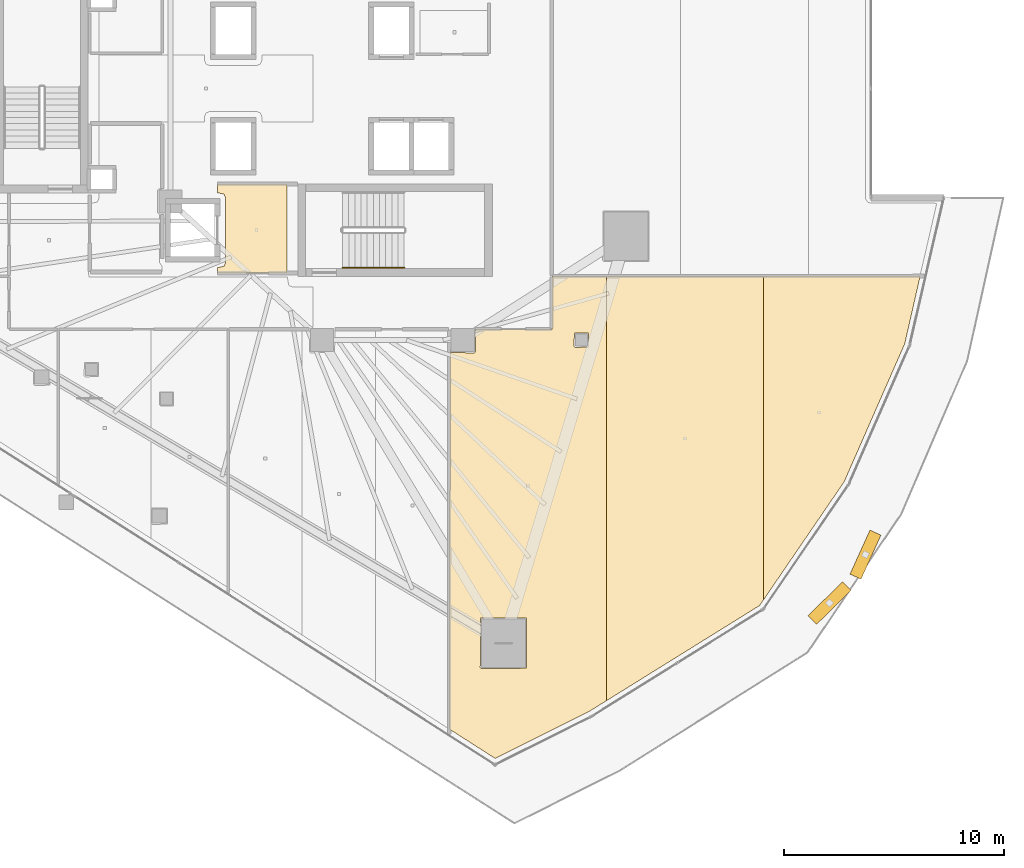
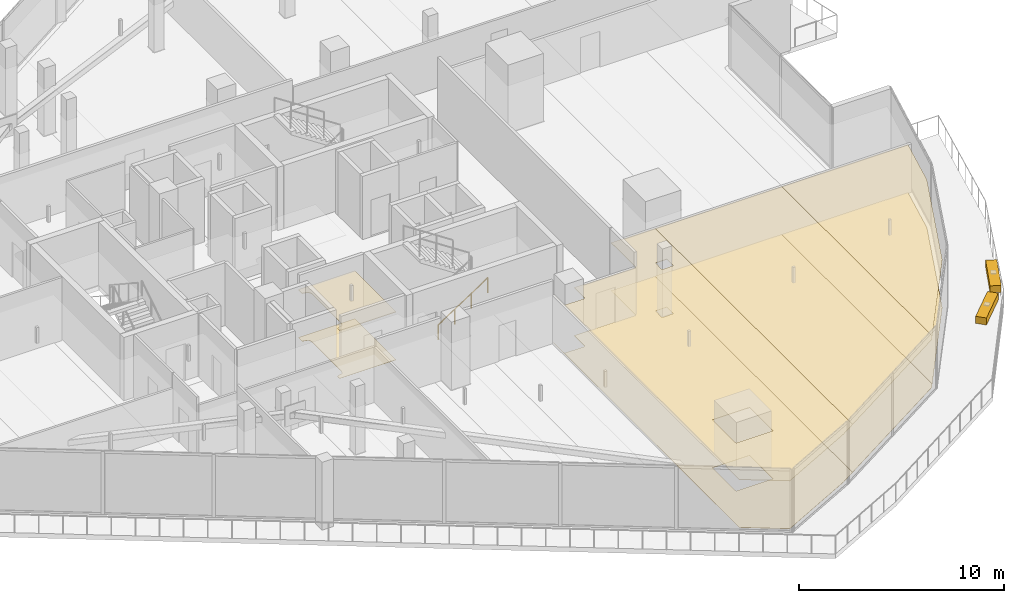
# One storey, part 39 of 45: 8 coverings, 2 shading devices, 1 railing.
"""IFC4 building model written with IfcOpenShell, lengths in metres."""

from ifc_helpers import new_model, si_unit, direction, frame, origin, origin_2d, place, context, subcontext, project, spatial, polyline, rectangle, circle, outline, extrude, material, layer, layer_set, type_object, element, save


model = new_model("IFC4")

# Units and contexts
model_context = context("Model", 3, precision=1e-05, world=origin(), true_north=direction((0.0, 1.0)))
body_context = subcontext(model_context, "Body", "Model", "MODEL_VIEW")
ifc_project = project(units=[si_unit("LENGTHUNIT", "METRE"), si_unit("AREAUNIT", "SQUARE_METRE"), si_unit("VOLUMEUNIT", "CUBIC_METRE"), si_unit("PLANEANGLEUNIT", "RADIAN"), si_unit("MASSUNIT", "GRAM", prefix="KILO")], contexts=[model_context])

# Site, building, storey
site_placement = place(None, origin())
site = spatial("IfcSite", under=ifc_project, at=site_placement, CompositionType="ELEMENT")
building_placement = place(site_placement, origin())
building = spatial("IfcBuilding", under=site, at=building_placement, Name="Qorvath Tower", CompositionType="ELEMENT")
storey_placement = place(building_placement, frame((0.0, 0.0, 126.0)))
storey = spatial("IfcBuildingStorey", under=building, at=storey_placement, Name="L28", CompositionType="ELEMENT", Elevation=126.0)

# Coverings
ifc_material_1 = material(Name="Acoustic mineral fibre ceiling tile", Category="gypsum")
ifc_layer_1 = layer(ifc_material_1, 0.030029296875)
ifc_layer_set_1 = layer_set([ifc_layer_1], Name="COV-CEIL")
covering_type_1 = type_object("IfcCoveringType", Name="COV-CEIL", PredefinedType="CEILING", material=ifc_layer_set_1)
covering_1_placement = place(storey_placement, frame((0.0, 0.0, 2.85009765625)))
element("IfcCovering", 1, at=covering_1_placement, inside=storey, type_object=covering_type_1, Name="L28 Suspended Acoustic Ceiling 002", PredefinedType="CEILING", context=body_context, shape_type="SweptSolid", body=[
    extrude(outline(polyline([(-25.18994140625, -8.39501953125), (-25.18994140625, -4.35498046875), (-28.375, -4.35498046875), (-28.375, -4.739990234375), (-28.063232421875, -4.813232421875), (-27.989990234375, -4.989990234375), (-27.989990234375, -7.909912109375), (-28.063232421875, -8.086669921875), (-28.375, -8.159912109375), (-28.375, -8.39501953125), (-25.18994140625, -8.39501953125)])), origin(), (0.0, 0.0, 1.0), 0.030029296875),
])
covering_2_placement = place(storey_placement, frame((0.0, 0.0, 2.85009765625)))
element("IfcCovering", 2, at=covering_2_placement, inside=storey, type_object=covering_type_1, Name="L28 Suspended Acoustic Ceiling 022", PredefinedType="CEILING", context=body_context, shape_type="SweptSolid", body=[
    extrude(outline(polyline([(-17.784912109375, -10.962890625), (-17.80322265625, -29.166015625), (-15.721435546875, -30.49658203125), (-11.463134765625, -28.367431640625), (-10.661865234375, -27.86962890625), (-10.661865234375, -8.552734375), (-13.136962890625, -8.554931640625), (-13.138427734375, -10.96142578125), (-16.614990234375, -10.962890625), (-16.614990234375, -11.97509765625), (-16.675048828125, -12.034912109375), (-17.767333984375, -12.017333984375), (-17.784912109375, -10.962890625)]), holes=[polyline([(-12.135009765625, -11.72509765625), (-12.117431640625, -11.132568359375), (-11.482666015625, -11.132568359375), (-11.482666015625, -11.767333984375), (-12.074951171875, -11.784912109375), (-12.135009765625, -11.72509765625)]), polyline([(-16.404296875, -26.34619140625), (-16.38671875, -24.103759765625), (-14.3017578125, -24.103759765625), (-14.3017578125, -26.388427734375), (-16.34423828125, -26.406005859375), (-16.404296875, -26.34619140625)])]), origin(), (0.0, 0.0, 1.0), 0.030029296875),
])
covering_3_placement = place(storey_placement, frame((0.0, 0.0, 2.85009765625)))
element("IfcCovering", 3, at=covering_3_placement, inside=storey, type_object=covering_type_1, Name="L28 Suspended Acoustic Ceiling 023", PredefinedType="CEILING", context=body_context, shape_type="SweptSolid", body=[
    extrude(outline(polyline([(-10.661865234375, -8.552734375), (-10.661865234375, -27.86962890625), (-3.6865234375, -23.53564453125), (-3.5205078125, -23.29296875), (-3.5205078125, -8.546142578125), (-10.661865234375, -8.552734375)])), origin(), (0.0, 0.0, 1.0), 0.030029296875),
])
covering_4_placement = place(storey_placement, frame((0.0, 0.0, 2.85009765625)))
element("IfcCovering", 4, at=covering_4_placement, inside=storey, type_object=covering_type_1, Name="L28 Suspended Acoustic Ceiling 024", PredefinedType="CEILING", context=body_context, shape_type="SweptSolid", body=[
    extrude(outline(polyline([(-3.5205078125, -8.546142578125), (-3.5205078125, -23.29296875), (0.166748046875, -17.896240234375), (2.920166015625, -11.61767578125), (3.62060546875, -8.539794921875), (-3.5205078125, -8.546142578125)])), origin(), (0.0, 0.0, 1.0), 0.030029296875),
])
ifc_material_2 = material(Name="Low-VOC modular carpet tile", Category="textile")
ifc_layer_2 = layer(ifc_material_2, 0.014892578125)
ifc_layer_set_2 = layer_set([ifc_layer_2], Name="COV-FLOOR-CPT")
covering_type_2 = type_object("IfcCoveringType", Name="COV-FLOOR-CPT", PredefinedType="FLOORING", material=ifc_layer_set_2)
covering_5_placement = place(storey_placement, origin())
element("IfcCovering", 5, at=covering_5_placement, inside=storey, type_object=covering_type_2, Name="L28 Floor Finish 022", PredefinedType="FLOORING", context=body_context, shape_type="SweptSolid", body=[
    extrude(outline(polyline([(-17.784912109375, -10.962890625), (-17.80322265625, -29.166015625), (-15.721435546875, -30.49658203125), (-11.463134765625, -28.367431640625), (-10.661865234375, -27.86962890625), (-10.661865234375, -8.552734375), (-13.136962890625, -8.554931640625), (-13.138427734375, -10.96142578125), (-16.614990234375, -10.962890625), (-16.614990234375, -11.97509765625), (-16.675048828125, -12.034912109375), (-17.767333984375, -12.017333984375), (-17.784912109375, -10.962890625)]), holes=[polyline([(-12.135009765625, -11.72509765625), (-12.117431640625, -11.132568359375), (-11.482666015625, -11.132568359375), (-11.482666015625, -11.767333984375), (-12.074951171875, -11.784912109375), (-12.135009765625, -11.72509765625)]), polyline([(-16.404296875, -26.34619140625), (-16.38671875, -24.103759765625), (-14.3017578125, -24.103759765625), (-14.3017578125, -26.388427734375), (-16.34423828125, -26.406005859375), (-16.404296875, -26.34619140625)])]), origin(), (0.0, 0.0, 1.0), 0.014892578125),
])
covering_6_placement = place(storey_placement, origin())
element("IfcCovering", 6, at=covering_6_placement, inside=storey, type_object=covering_type_2, Name="L28 Floor Finish 023", PredefinedType="FLOORING", context=body_context, shape_type="SweptSolid", body=[
    extrude(outline(polyline([(-10.661865234375, -8.552734375), (-10.661865234375, -27.86962890625), (-3.6865234375, -23.53564453125), (-3.5205078125, -23.29296875), (-3.5205078125, -8.546142578125), (-10.661865234375, -8.552734375)])), origin(), (0.0, 0.0, 1.0), 0.014892578125),
])
covering_7_placement = place(storey_placement, origin())
element("IfcCovering", 7, at=covering_7_placement, inside=storey, type_object=covering_type_2, Name="L28 Floor Finish 024", PredefinedType="FLOORING", context=body_context, shape_type="SweptSolid", body=[
    extrude(outline(polyline([(-3.5205078125, -8.546142578125), (-3.5205078125, -23.29296875), (0.166748046875, -17.896240234375), (2.920166015625, -11.61767578125), (3.62060546875, -8.539794921875), (-3.5205078125, -8.546142578125)])), origin(), (0.0, 0.0, 1.0), 0.014892578125),
])
ifc_material_3 = material(Name="Polished epoxy terrazzo flooring", Category="concrete")
ifc_layer_3 = layer(ifc_material_3, 0.02001953125)
ifc_layer_set_3 = layer_set([ifc_layer_3], Name="COV-FLOOR-TRZ")
covering_type_3 = type_object("IfcCoveringType", Name="COV-FLOOR-TRZ", PredefinedType="FLOORING", material=ifc_layer_set_3)
covering_8_placement = place(storey_placement, origin())
element("IfcCovering", 8, at=covering_8_placement, inside=storey, type_object=covering_type_3, Name="L28 Floor Finish 002", PredefinedType="FLOORING", context=body_context, shape_type="SweptSolid", body=[
    extrude(outline(polyline([(-25.18994140625, -8.39501953125), (-25.18994140625, -4.35498046875), (-28.375, -4.35498046875), (-28.375, -4.739990234375), (-28.063232421875, -4.813232421875), (-27.989990234375, -4.989990234375), (-27.989990234375, -7.909912109375), (-28.063232421875, -8.086669921875), (-28.375, -8.159912109375), (-28.375, -8.39501953125), (-25.18994140625, -8.39501953125)])), origin(), (0.0, 0.0, 1.0), 0.014892578125),
])

# Railing
ifc_material_4 = material(Name="Brushed stainless steel AISI 304", Category="steel")
railing_type = type_object("IfcRailingType", Name="RL-STR-HND", PredefinedType="HANDRAIL", material=ifc_material_4)
railing_placement = place(storey_placement, frame((-22.669921875, -8.14990234375, 0.18408203125)))
element("IfcRailing", 9, at=railing_placement, inside=storey, type_object=railing_type, Name="L28 TS2 stair handrail 1", PredefinedType="HANDRAIL", context=body_context, shape_type="SweptSolid", body=[
    extrude(circle(Radius=0.02392578125, at=origin_2d()), frame((0.0, 0.0, 0.8759765625), z_axis=(0.835575518608, 0.0, 0.549375602573), x_axis=(0.0, 1.0, 0.0)), (0.0, 0.0, 1.0), 3.350830078125),
    extrude(circle(Radius=0.02099609375, at=origin_2d()), origin(), (0.0, 0.0, 1.0), 0.851806640625),
    extrude(circle(Radius=0.02099609375, at=origin_2d()), frame((0.933349609375, 0.0, 0.613525390625)), (0.0, 0.0, 1.0), 0.851806640625),
    extrude(circle(Radius=0.02099609375, at=origin_2d()), frame((1.866455078125, 0.0, 1.227294921875)), (0.0, 0.0, 1.0), 0.851806640625),
    extrude(circle(Radius=0.02099609375, at=origin_2d()), frame((2.7998046875, 0.0, 1.8408203125)), (0.0, 0.0, 1.0), 0.851806640625),
])

# Shading devices
ifc_material_5 = material(Name="Anodised bronze-champagne aluminium", Category="aluminium")
shading_device_type = type_object("IfcShadingDeviceType", Name="SD-LOUVRE", PredefinedType="JALOUSIE", material=ifc_material_5)
for number, where, z_axis, x_axis, name in (
    (10, (-0.50244140625, -23.419921875, 3.35009765625), (0.0, 0.0, 1.0), (0.709768709331, 0.704434794183, 0.0), "Sinusoidal Wave Louvre Blade L28-03"),
    (11, (1.13232421875, -21.21923828125, 3.35009765625), (0.0, 0.0, 1.0), (0.413331707281, 0.910580528979, 0.0), "Sinusoidal Wave Louvre Blade L28-04"),
):
    element("IfcShadingDevice", number, at=place(storey_placement, frame(where, z_axis=z_axis, x_axis=x_axis)), inside=storey, type_object=shading_device_type, Name=name, PredefinedType="NOTDEFINED", context=body_context, shape_type="SweptSolid", body=[
        extrude(rectangle(XDim=2.199951171875, YDim=0.550048828125, at=origin_2d()), origin(), (0.0, 0.0, 1.0), 0.419921875),
    ])

save(model, "model.ifc")
